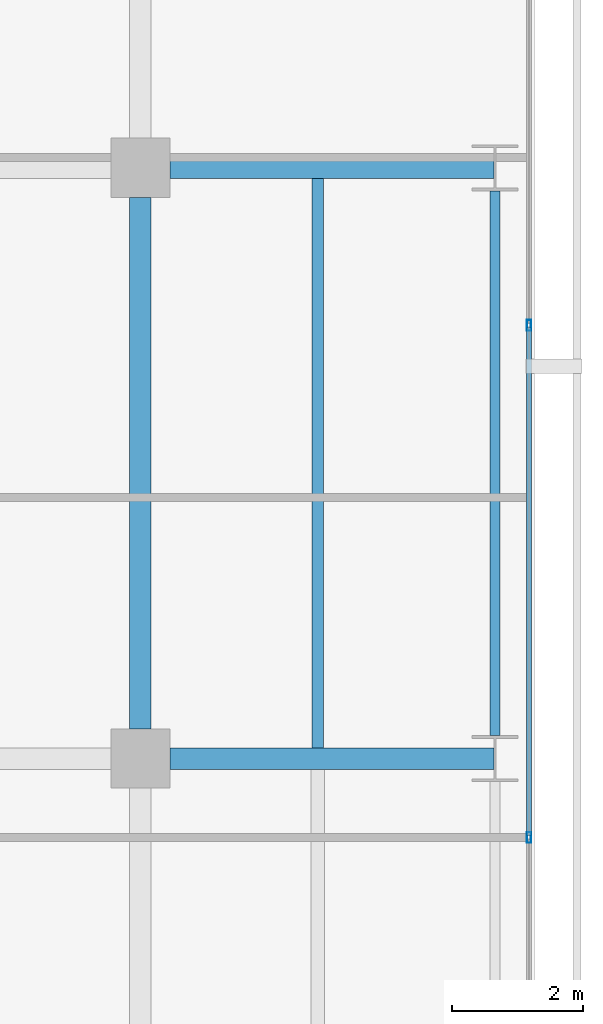
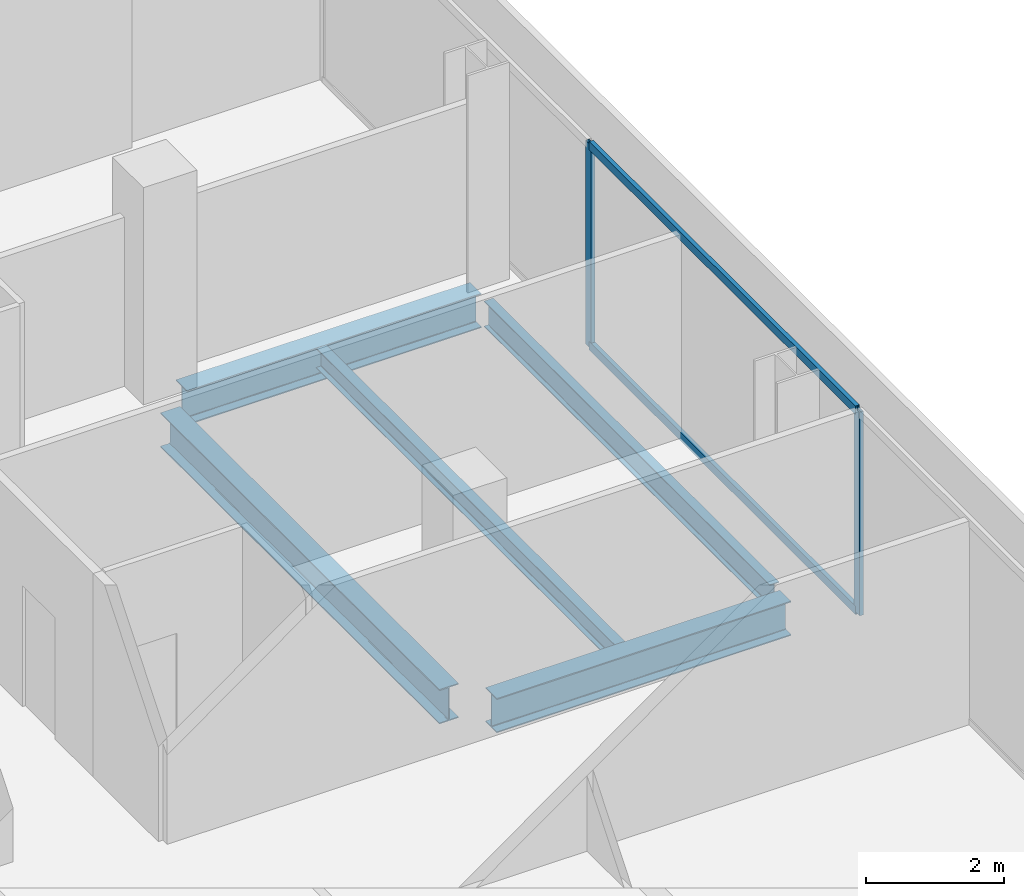
# One storey, part 28 of 40: 5 beams, 4 members, 1 element without a shape of its own.
"""IFC4 building model written with IfcOpenShell, lengths in metres."""

import ifcopenshell
import ifcopenshell.guid

model = None  # the IFC model being written
_history = None  # IfcOwnerHistory: only IFC2X3 demands one
_inside = {}  # id of a spatial element -> (the spatial element, [elements in it])
_under = {}  # id of a project, library or spatial element -> (it, [spatial elements below it])
_declared = {}  # id of a project -> (the project, [libraries it declares])
_typed = {}  # id of a type object -> (the type object, [elements of that type])
_made_of = {}  # id of a material, layer set ... -> (it, [elements and type objects made of it])


def new_model(schema):
    """Start an empty IFC model of exactly this schema.

    Asked for "IFC4X3", IfcOpenShell would pick the latest addendum, in which some entities
    have other attributes; the version numbers below select the first issue.
    IFC2X3 requires an IfcOwnerHistory on every rooted entity: one is made here for all.
    """
    global model, _history
    if schema == "IFC4X3":
        model = ifcopenshell.file(schema_version=(4, 3, 0, 0))
    else:
        model = ifcopenshell.file(schema=schema)
    _inside.clear()
    _under.clear()
    _declared.clear()
    _typed.clear()
    _made_of.clear()
    _history = None
    if model.schema == "IFC2X3":
        org = make("IfcOrganization", Name="unknown")
        user = make(
            "IfcPersonAndOrganization",
            ThePerson=make("IfcPerson", FamilyName="unknown"),
            TheOrganization=org,
        )
        app = make(
            "IfcApplication",
            ApplicationDeveloper=org,
            Version="unknown",
            ApplicationFullName="unknown",
            ApplicationIdentifier="unknown",
        )
        _history = make(
            "IfcOwnerHistory",
            OwningUser=user,
            OwningApplication=app,
            ChangeAction="ADDED",
            CreationDate=0,
        )
    return model


def make(cls, **values):
    """One entity of the class cls with the attributes given. An attribute that is None is left unset."""
    return model.create_entity(
        cls, **{name: value for name, value in values.items() if value is not None}
    )


def rooted(cls, **values):
    """An entity with a GlobalId (a new one), such as an element, a storey or a relation."""
    return make(cls, GlobalId=ifcopenshell.guid.new(), OwnerHistory=_history, **values)


def si_unit(unit_type, name, prefix=None):
    """IfcSIUnit, for example si_unit("LENGTHUNIT", "METRE", prefix="MILLI")."""
    return make("IfcSIUnit", UnitType=unit_type, Prefix=prefix, Name=name)


def assignment(units):
    """IfcUnitAssignment: the units of a project."""
    return None if units is None else make("IfcUnitAssignment", Units=units)


def point(xyz):
    """IfcCartesianPoint."""
    return None if xyz is None else make("IfcCartesianPoint", Coordinates=xyz)


def direction(xyz):
    """IfcDirection."""
    return None if xyz is None else make("IfcDirection", DirectionRatios=xyz)


def frame(location, z_axis=None, x_axis=None):
    """IfcAxis2Placement3D, a coordinate frame: its origin and axes. An axis left out is left unset."""
    return make(
        "IfcAxis2Placement3D",
        Location=point(location),
        Axis=direction(z_axis),
        RefDirection=direction(x_axis),
    )


def frame_2d(location, x_axis=None):
    """IfcAxis2Placement2D, a coordinate frame in the plane: its origin and x axis."""
    return make(
        "IfcAxis2Placement2D", Location=point(location), RefDirection=direction(x_axis)
    )


def origin():
    """The frame at (0, 0, 0) with its axes left unset."""
    return frame((0.0, 0.0, 0.0))


def origin_2d():
    """The frame at (0, 0) in the plane with its x axis left unset."""
    return frame_2d((0.0, 0.0))


def place(relative_to, where):
    """IfcLocalPlacement: puts the frame where relative to a parent placement (None: the world)."""
    return make(
        "IfcLocalPlacement", PlacementRelTo=relative_to, RelativePlacement=where
    )


def context(
    kind, dimensions, precision=None, world=None, true_north=None, identifier=None
):
    """IfcGeometricRepresentationContext, for example the 3D "Model" context."""
    return make(
        "IfcGeometricRepresentationContext",
        ContextIdentifier=identifier,
        ContextType=kind,
        CoordinateSpaceDimension=dimensions,
        Precision=precision,
        WorldCoordinateSystem=world,
        TrueNorth=true_north,
    )


def subcontext(parent, identifier, kind, view, scale=None):
    """IfcGeometricRepresentationSubContext, for example "Body" below "Model"."""
    return make(
        "IfcGeometricRepresentationSubContext",
        ContextIdentifier=identifier,
        ContextType=kind,
        ParentContext=parent,
        TargetScale=scale,
        TargetView=view,
    )


def project(units=None, contexts=None):
    """IfcProject with its units and contexts."""
    return rooted(
        "IfcProject",
        Name="project",
        RepresentationContexts=contexts,
        UnitsInContext=assignment(units),
    )


def spatial(cls, under=None, at=None, **own):
    """A site, building, storey or space (cls), placed at a placement, below another one or the project."""
    s = rooted(cls, ObjectPlacement=at, **own)
    if under is not None:
        _under.setdefault(under.id(), (under, []))[1].append(s)
    return s


def profile(cls, at=None, kind="AREA", **sizes):
    """A parametric profile (cls). Its sizes go by their IFC names, for example OverallWidth=200.0."""
    return make(cls, ProfileType=kind, Position=at, **sizes)


def hollow_rectangle(**sizes):
    """IfcRectangleHollowProfileDef."""
    return profile("IfcRectangleHollowProfileDef", **sizes)


def i_section(**sizes):
    """IfcIShapeProfileDef."""
    return profile("IfcIShapeProfileDef", **sizes)


def extrude(swept, where, along, depth):
    """IfcExtrudedAreaSolid: the profile swept, set in the frame where, extruded along a direction by depth."""
    return make(
        "IfcExtrudedAreaSolid",
        SweptArea=swept,
        Position=where,
        ExtrudedDirection=direction(along),
        Depth=depth,
    )


def shape(context_of_items, identifier, shape_type, items):
    """IfcShapeRepresentation: the items that make up one representation, for example the "Body"."""
    return make(
        "IfcShapeRepresentation",
        ContextOfItems=context_of_items,
        RepresentationIdentifier=identifier,
        RepresentationType=shape_type,
        Items=items,
    )


def material(Name=None, Category=None):
    """IfcMaterial."""
    return make("IfcMaterial", Name=Name, Category=Category)


def layer(
    of_material, thickness, ventilated=None, Name=None, Category=None, Priority=None
):
    """IfcMaterialLayer: one layer of a wall or slab, of a material (None: an air gap)."""
    return make(
        "IfcMaterialLayer",
        Material=of_material,
        LayerThickness=thickness,
        IsVentilated=ventilated,
        Name=Name,
        Category=Category,
        Priority=Priority,
    )


def layer_set(layers, Name=None):
    """IfcMaterialLayerSet."""
    return make("IfcMaterialLayerSet", MaterialLayers=layers, LayerSetName=Name)


def material_profile(
    of_material, cross_section, Name=None, Category=None, Priority=None
):
    """IfcMaterialProfile: a cross section and its material."""
    return make(
        "IfcMaterialProfile",
        Name=Name,
        Material=of_material,
        Profile=cross_section,
        Priority=Priority,
        Category=Category,
    )


def profile_set(profiles, Name=None, composite=None):
    """IfcMaterialProfileSet."""
    return make(
        "IfcMaterialProfileSet",
        Name=Name,
        MaterialProfiles=profiles,
        CompositeProfile=composite,
    )


def made_of(thing, what):
    """Note that an element or type object is made of a material, layer set ...; save() writes the relation."""
    if what is not None:
        _made_of.setdefault(what.id(), (what, []))[1].append(thing)
    return thing


def type_object(cls, material=None, **own):
    """A type object (cls), such as IfcWallType, which elements share."""
    return made_of(rooted(cls, **own), material)


def element(
    cls,
    number,
    at=None,
    inside=None,
    cuts=None,
    type_object=None,
    material=None,
    context=None,
    identifier="Body",
    shape_type=None,
    held_by="IfcProductDefinitionShape",
    body=None,
    shapes=None,
    **own,
):
    """One element of the class cls, such as IfcWall. Its Tag is "e" and its number.

    at: its placement. inside: the storey or other place that contains it. cuts: it is an
    opening in that element (IfcRelVoidsElement). A single representation is given by context,
    identifier, shape_type and body (its items); several are given by shapes. held_by: the class
    of the entity that holds the representations. save() writes the other relations.
    """
    e = rooted(cls, Tag="e%d" % number, ObjectPlacement=at, **own)
    if body is not None:
        shapes = [shape(context, identifier, shape_type, body)]
    if shapes is not None:
        e.Representation = make(held_by, Representations=shapes)
    if inside is not None:
        _inside.setdefault(inside.id(), (inside, []))[1].append(e)
    if cuts is not None:
        rooted(
            "IfcRelVoidsElement", RelatingBuildingElement=cuts, RelatedOpeningElement=e
        )
    if type_object is not None:
        _typed.setdefault(type_object.id(), (type_object, []))[1].append(e)
    return made_of(e, material)


def aggregate(whole, parts):
    """IfcRelAggregates: a whole, such as a stair, and the parts it consists of."""
    return rooted("IfcRelAggregates", RelatingObject=whole, RelatedObjects=parts)


def save(model, path):
    """Write the relations noted so far, then the file.

    IfcRelAggregates (storeys below a building ...), IfcRelContainedInSpatialStructure (elements
    in a storey), IfcRelDefinesByType, IfcRelAssociatesMaterial and IfcRelDeclares: one each for
    every whole, place, type object, material and project.
    """
    for whole, parts in _under.values():
        aggregate(whole, parts)
    for where, things in _inside.values():
        rooted(
            "IfcRelContainedInSpatialStructure",
            RelatedElements=things,
            RelatingStructure=where,
        )
    for kind, things in _typed.values():
        rooted("IfcRelDefinesByType", RelatedObjects=things, RelatingType=kind)
    for what, things in _made_of.values():
        rooted("IfcRelAssociatesMaterial", RelatedObjects=things, RelatingMaterial=what)
    for by, libraries in _declared.values():
        rooted("IfcRelDeclares", RelatingContext=by, RelatedDefinitions=libraries)
    model.write(path)


model = new_model("IFC4")

# Units and contexts
model_context = context("Model", 3, precision=1e-05, world=origin(), true_north=direction((0.0, 1.0)))
body_context = subcontext(model_context, "Body", "Model", "MODEL_VIEW")
ifc_project = project(units=[si_unit("LENGTHUNIT", "METRE"), si_unit("AREAUNIT", "SQUARE_METRE"), si_unit("VOLUMEUNIT", "CUBIC_METRE"), si_unit("PLANEANGLEUNIT", "RADIAN"), si_unit("MASSUNIT", "GRAM", prefix="KILO")], contexts=[model_context])

# Site, building, storey
site_placement = place(None, origin())
site = spatial("IfcSite", under=ifc_project, at=site_placement, CompositionType="ELEMENT")
building_placement = place(site_placement, origin())
building = spatial("IfcBuilding", under=site, at=building_placement, Name="Maruvema Waterfront Hotel and Observation Tower", CompositionType="ELEMENT")
storey_placement = place(building_placement, frame((0.0, 0.0, 77.0)))
storey = spatial("IfcBuildingStorey", under=building, at=storey_placement, Name="L18", CompositionType="ELEMENT", Elevation=77.0)

# Curtain wall, members
ifc_material_1 = material(Name="Anodised bronze aluminium and solar-control low-E IGU", Category="aluminium")
ifc_layer = layer(ifc_material_1, 0.159912109375, Name="Zone 1 Bronze Inner Thermal Curtain Wall System CW-02")
ifc_layer_set = layer_set([ifc_layer], Name="Anodised bronze aluminium and solar-control low-E IGU")
curtain_wall_type = type_object("IfcCurtainWallType", Name="Zone 1 Bronze Inner Thermal Curtain Wall System CW-02", PredefinedType="USERDEFINED", material=ifc_layer_set)
curtain_wall_placement = place(storey_placement, origin())
curtain_wall = element("IfcCurtainWall", 1, at=curtain_wall_placement, inside=storey, type_object=curtain_wall_type, Name="L18 Curtain Wall CW-L18-E", ObjectType="UNITISED CURTAIN WALL", PredefinedType="USERDEFINED")
ifc_material_2 = material(Name="Anodised architectural bronze aluminium", Category="aluminium")
ifc_material_profile_1 = material_profile(ifc_material_2, hollow_rectangle(XDim=0.070068359375, YDim=0.14990234375, WallThickness=0.00390625, at=origin_2d()), Name="ALU-T70x150")
ifc_profile_set_1 = profile_set([ifc_material_profile_1], Name="Anodised architectural bronze aluminium")
member_type_1 = type_object("IfcMemberType", Name="Curtain Wall Horizontal Transom ALU-T70x150", PredefinedType="USERDEFINED", material=ifc_profile_set_1)
member_1_placement = place(storey_placement, frame((64.719970703125, 34.830078125, 0.030029296875), z_axis=(0.0, 1.0, 0.0), x_axis=(-1.0, 0.0, 0.0)))
member_1 = element("IfcMember", 2, at=member_1_placement, type_object=member_type_1, Name="CW-02 transom 5.1", ObjectType="TRANSOM", PredefinedType="USERDEFINED", context=body_context, shape_type="SweptSolid", body=[
    extrude(hollow_rectangle(XDim=0.070068359375, YDim=0.14990234375, WallThickness=0.00390625, at=origin_2d()), origin(), (0.0, 0.0, 1.0), 7.739990234375),
])
member_2_placement = place(storey_placement, frame((64.719970703125, 34.830078125, 3.580078125), z_axis=(0.0, 1.0, 0.0), x_axis=(-1.0, 0.0, 0.0)))
member_2 = element("IfcMember", 3, at=member_2_placement, type_object=member_type_1, Name="CW-02 transom 5.2", ObjectType="TRANSOM", PredefinedType="USERDEFINED", context=body_context, shape_type="SweptSolid", body=[
    extrude(hollow_rectangle(XDim=0.070068359375, YDim=0.14990234375, WallThickness=0.00390625, at=origin_2d()), origin(), (0.0, 0.0, 1.0), 7.739990234375),
])
ifc_material_3 = material(Name="Anodised architectural bronze aluminium", Category="aluminium")
ifc_material_profile_2 = material_profile(ifc_material_3, hollow_rectangle(XDim=0.06494140625, YDim=0.1650390625, WallThickness=0.00390625, at=origin_2d()), Name="ALU-M65x165")
ifc_profile_set_2 = profile_set([ifc_material_profile_2], Name="Anodised architectural bronze aluminium")
member_type_2 = type_object("IfcMemberType", Name="Curtain Wall Primary Mullion ALU-M65x165", PredefinedType="MULLION", material=ifc_profile_set_2)
member_3_placement = place(storey_placement, frame((64.719970703125, 34.800048828125, 0.0), z_axis=(0.0, 0.0, 1.0), x_axis=(-1.0, 0.0, 0.0)))
member_3 = element("IfcMember", 4, at=member_3_placement, type_object=member_type_2, Name="CW-02 mullion 5", PredefinedType="MULLION", context=body_context, shape_type="SweptSolid", body=[
    extrude(hollow_rectangle(XDim=0.06494140625, YDim=0.1650390625, WallThickness=0.00390625, at=origin_2d()), origin(), (0.0, 0.0, 1.0), 3.610107421875),
])
member_4_placement = place(storey_placement, frame((64.719970703125, 42.60009765625, 0.0), z_axis=(0.0, 0.0, 1.0), x_axis=(-1.0, 0.0, 0.0)))
member_4 = element("IfcMember", 5, at=member_4_placement, type_object=member_type_2, Name="CW-02 mullion 6", PredefinedType="MULLION", context=body_context, shape_type="SweptSolid", body=[
    extrude(hollow_rectangle(XDim=0.06494140625, YDim=0.1650390625, WallThickness=0.00390625, at=origin_2d()), origin(), (0.0, 0.0, 1.0), 3.610107421875),
])
aggregate(curtain_wall, [member_3, member_4, member_1, member_2])

# Beams
ifc_material_4 = material(Name="Steel ASTM A572 Grade 50", Category="steel")
ifc_material_profile_3 = material_profile(ifc_material_4, i_section(OverallWidth=0.153076171875, OverallDepth=0.455078125, WebThickness=0.008056640625, FlangeThickness=0.01318359375, FilletRadius=0.014892578125, at=origin_2d()), Name="W460x60.0")
ifc_profile_set_3 = profile_set([ifc_material_profile_3], Name="Steel ASTM A572 Grade 50")
beam_type_1 = type_object("IfcBeamType", Name="Perimeter Spandrel Beam W460x60.0", PredefinedType="SPANDREL", material=ifc_profile_set_3)
beam_1_placement = place(storey_placement, frame((64.199951171875, 36.35009765625, -0.467529296875), z_axis=(0.0, 1.0, 0.0), x_axis=(-1.0, 0.0, 0.0)))
element("IfcBeam", 6, at=beam_1_placement, inside=storey, type_object=beam_type_1, Name="L18 Floor Girder NS-36", PredefinedType="SPANDREL", context=body_context, shape_type="SweptSolid", body=[
    extrude(i_section(OverallWidth=0.153076171875, OverallDepth=0.455078125, WebThickness=0.008056640625, FlangeThickness=0.01318359375, FilletRadius=0.014892578125, at=origin_2d()), origin(), (0.0, 0.0, 1.0), 8.2998046875),
])
ifc_material_5 = material(Name="Steel ASTM A572 Grade 50", Category="steel")
ifc_material_profile_4 = material_profile(ifc_material_5, i_section(OverallWidth=0.323974609375, OverallDepth=0.611083984375, WebThickness=0.0126953125, FlangeThickness=0.01904296875, FilletRadius=0.01806640625, at=origin_2d()), Name="W610x155.0")
ifc_profile_set_4 = profile_set([ifc_material_profile_4], Name="Steel ASTM A572 Grade 50")
beam_type_2 = type_object("IfcBeamType", Name="Primary Floor Girder W610x155.0", PredefinedType="BEAM", material=ifc_profile_set_4)
for number, where, z_axis, x_axis, name in (
    (7, (59.25, 36.0, -0.54541015625), (1.0, 0.0, 0.0), (0.0, 1.0, 0.0), "L18 Floor Girder EW-31"),
    (8, (59.25, 45.0, -0.54541015625), (1.0, 0.0, 0.0), (0.0, 1.0, 0.0), "L18 Floor Girder EW-35"),
):
    element("IfcBeam", number, at=place(storey_placement, frame(where, z_axis=z_axis, x_axis=x_axis)), inside=storey, type_object=beam_type_2, Name=name, PredefinedType="BEAM", context=body_context, shape_type="SweptSolid", body=[
        extrude(i_section(OverallWidth=0.323974609375, OverallDepth=0.611083984375, WebThickness=0.0126953125, FlangeThickness=0.01904296875, FilletRadius=0.01806640625, at=origin_2d()), origin(), (0.0, 0.0, 1.0), 4.93603515625),
    ])
beam_2_placement = place(storey_placement, frame((58.800048828125, 36.449951171875, -0.54541015625), z_axis=(0.0, 1.0, 0.0), x_axis=(-1.0, 0.0, 0.0)))
element("IfcBeam", 9, at=beam_2_placement, inside=storey, type_object=beam_type_2, Name="L18 Floor Girder NS-31", PredefinedType="BEAM", context=body_context, shape_type="SweptSolid", body=[
    extrude(i_section(OverallWidth=0.323974609375, OverallDepth=0.611083984375, WebThickness=0.0126953125, FlangeThickness=0.01904296875, FilletRadius=0.01806640625, at=origin_2d()), origin(), (0.0, 0.0, 1.0), 8.10009765625),
])
ifc_material_6 = material(Name="Steel ASTM A572 Grade 50", Category="steel")
ifc_material_profile_5 = material_profile(ifc_material_6, i_section(OverallWidth=0.1708984375, OverallDepth=0.35498046875, WebThickness=0.007080078125, FlangeThickness=0.01171875, FilletRadius=0.014892578125, at=origin_2d()), Name="W360x51.0")
ifc_profile_set_5 = profile_set([ifc_material_profile_5], Name="Steel ASTM A572 Grade 50")
beam_type_3 = type_object("IfcBeamType", Name="Secondary Floor Joist W360x51.0", PredefinedType="JOIST", material=ifc_profile_set_5)
beam_3_placement = place(storey_placement, frame((61.5, 36.162109375, -0.41748046875), z_axis=(0.0, 1.0, 0.0), x_axis=(-1.0, 0.0, 0.0)))
element("IfcBeam", 10, at=beam_3_placement, inside=storey, type_object=beam_type_3, Name="L18 Secondary Floor Joist JS-24", PredefinedType="JOIST", context=body_context, shape_type="SweptSolid", body=[
    extrude(i_section(OverallWidth=0.1708984375, OverallDepth=0.35498046875, WebThickness=0.007080078125, FlangeThickness=0.01171875, FilletRadius=0.014892578125, at=origin_2d()), origin(), (0.0, 0.0, 1.0), 8.67578125),
])

save(model, "model.ifc")
